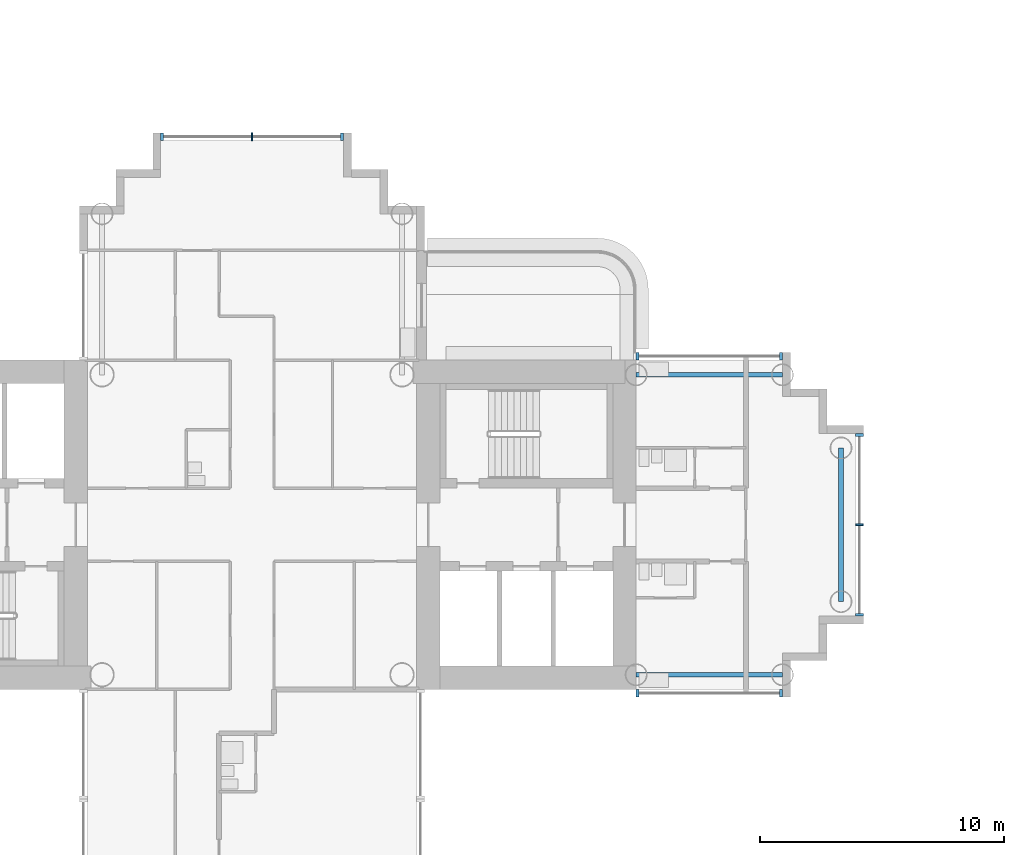
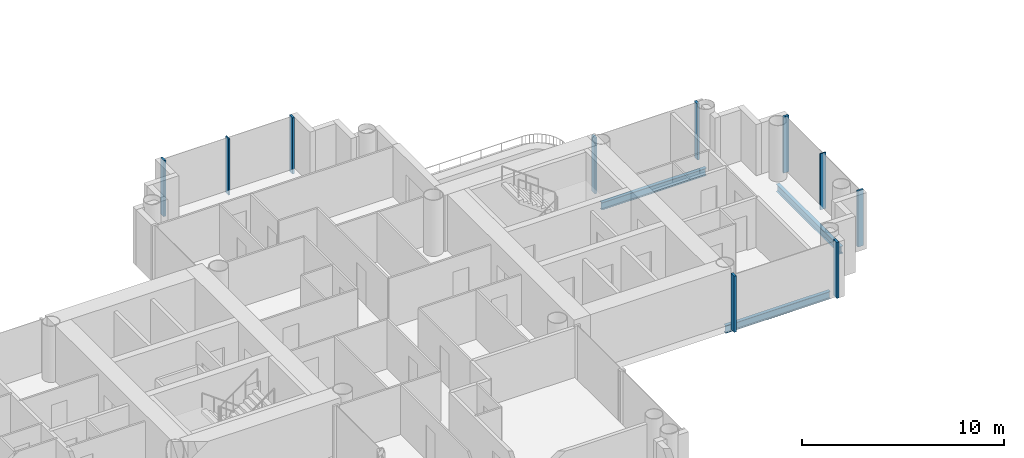
# One storey, part 4 of 22: 10 members, 3 beams, 4 elements without a shape of their own.
"""IFC4 building model written with IfcOpenShell, lengths in metres."""

from ifc_helpers import new_model, si_unit, direction, frame, origin, origin_2d, place, context, subcontext, project, spatial, rectangle, i_section, extrude, material, layer, layer_set, material_profile, profile_set, type_object, element, aggregate, save


model = new_model("IFC4")

# Units and contexts
model_context = context("Model", 3, precision=1e-05, world=origin(), true_north=direction((0.0, 1.0)))
body_context = subcontext(model_context, "Body", "Model", "MODEL_VIEW")
ifc_project = project(units=[si_unit("LENGTHUNIT", "METRE"), si_unit("AREAUNIT", "SQUARE_METRE"), si_unit("VOLUMEUNIT", "CUBIC_METRE"), si_unit("PLANEANGLEUNIT", "RADIAN"), si_unit("MASSUNIT", "GRAM", prefix="KILO")], contexts=[model_context])

# Site, building, storey
site_placement = place(None, origin())
site = spatial("IfcSite", under=ifc_project, at=site_placement, CompositionType="ELEMENT")
building_placement = place(site_placement, origin())
building = spatial("IfcBuilding", under=site, at=building_placement, Name="Ipe Terrace Towers", CompositionType="ELEMENT")
storey_placement = place(building_placement, frame((0.0, 0.0, 110.60009765625)))
storey = spatial("IfcBuildingStorey", under=building, at=storey_placement, Name="L30", CompositionType="ELEMENT", Elevation=110.60009765625)

# Beams
ifc_material_1 = material(Name="Steel S355", Category="steel")
ifc_material_profile_1 = material_profile(ifc_material_1, i_section(OverallWidth=0.199951171875, OverallDepth=0.449951171875, WebThickness=0.009033203125, FlangeThickness=0.013916015625, at=origin_2d()), Name="H-450x200x9x14")
ifc_profile_set_1 = profile_set([ifc_material_profile_1], Name="Steel S355")
beam_type = type_object("IfcBeamType", Name="H08 EDGE BEAM H-450x200x9x14", PredefinedType="BEAM", material=ifc_profile_set_1)
for number, where, z_axis, x_axis, name in (
    (1, (-20.25, -6.14990234375, -0.625), (1.0, 0.0, 0.0), (0.0, 1.0, 0.0), "Edge beam T1-EB-A01-A03"),
    (2, (-20.25, 6.14990234375, -0.625), (1.0, 0.0, 0.0), (0.0, 1.0, 0.0), "Edge beam T1-EB-A02-A04"),
):
    element("IfcBeam", number, at=place(storey_placement, frame(where, z_axis=z_axis, x_axis=x_axis)), inside=storey, type_object=beam_type, Name=name, PredefinedType="BEAM", context=body_context, shape_type="SweptSolid", body=[
        extrude(i_section(OverallWidth=0.199951171875, OverallDepth=0.449951171875, WebThickness=0.009033203125, FlangeThickness=0.013916015625, at=origin_2d()), origin(), (0.0, 0.0, 1.0), 6.0),
    ])
beam_placement = place(storey_placement, frame((-11.85009765625, -3.14990234375, -0.625), z_axis=(0.0, 1.0, 0.0), x_axis=(-1.0, 0.0, 0.0)))
element("IfcBeam", 3, at=beam_placement, inside=storey, type_object=beam_type, Name="Edge beam T1-EB-A05-A06", PredefinedType="BEAM", context=body_context, shape_type="SweptSolid", body=[
    extrude(i_section(OverallWidth=0.199951171875, OverallDepth=0.449951171875, WebThickness=0.009033203125, FlangeThickness=0.013916015625, at=origin_2d()), origin(), (0.0, 0.0, 1.0), 6.2998046875),
])

# Curtain wall, members
ifc_material_2 = material(Name="Aluminium alloy 6063-T6", Category="aluminium")
ifc_layer = layer(ifc_material_2, 0.320068359375)
ifc_layer_set = layer_set([ifc_layer], Name="TOWER UNITISED CURTAIN WALL")
curtain_wall_type = type_object("IfcCurtainWallType", Name="TOWER UNITISED CURTAIN WALL", PredefinedType="NOTDEFINED", material=ifc_layer_set)
curtain_wall_1_placement = place(storey_placement, origin())
curtain_wall_1 = element("IfcCurtainWall", 4, at=curtain_wall_1_placement, inside=storey, type_object=curtain_wall_type, Name="T1-CW-L30-20b curtain wall", PredefinedType="NOTDEFINED")
ifc_material_3 = material(Name="Aluminium alloy 6063-T6", Category="aluminium")
ifc_material_profile_2 = material_profile(ifc_material_3, rectangle(XDim=0.320068359375, YDim=0.1201171875, at=origin_2d()), Name="TOWER UNITISED CORNER MULLION 320 x 120")
ifc_profile_set_2 = profile_set([ifc_material_profile_2], Name="Aluminium alloy 6063-T6")
member_type_1 = type_object("IfcMemberType", Name="TOWER UNITISED CORNER MULLION 320 x 120", PredefinedType="MULLION", material=ifc_profile_set_2)
member_1_placement = place(storey_placement, frame((-20.18896484375, -6.909912109375, -0.300048828125), z_axis=(0.0, 0.0, 1.0), x_axis=(0.0, -1.0, 0.0)))
member_1 = element("IfcMember", 5, at=member_1_placement, type_object=member_type_1, Name="T1-CW-L30-20b mullion 1", PredefinedType="MULLION", context=body_context, shape_type="SweptSolid", body=[
    extrude(rectangle(XDim=0.320068359375, YDim=0.1201171875, at=origin_2d()), origin(), (0.0, 0.0, 1.0), 3.39990234375),
])
member_2_placement = place(storey_placement, frame((-14.31005859375, -6.909912109375, -0.300048828125), z_axis=(0.0, 0.0, 1.0), x_axis=(0.0, -1.0, 0.0)))
member_2 = element("IfcMember", 6, at=member_2_placement, type_object=member_type_1, Name="T1-CW-L30-20b mullion 2", PredefinedType="MULLION", context=body_context, shape_type="SweptSolid", body=[
    extrude(rectangle(XDim=0.320068359375, YDim=0.1201171875, at=origin_2d()), origin(), (0.0, 0.0, 1.0), 3.39990234375),
])
aggregate(curtain_wall_1, [member_1, member_2])

curtain_wall_2_placement = place(storey_placement, origin())
curtain_wall_2 = element("IfcCurtainWall", 7, at=curtain_wall_2_placement, inside=storey, type_object=curtain_wall_type, Name="T1-CW-L30-25a curtain wall", PredefinedType="NOTDEFINED")
member_3_placement = place(storey_placement, frame((-11.090087890625, -3.68994140625, -0.300048828125), z_axis=(0.0, 0.0, 1.0), x_axis=(1.0, 0.0, 0.0)))
member_3 = element("IfcMember", 8, at=member_3_placement, type_object=member_type_1, Name="T1-CW-L30-25a mullion 1", PredefinedType="MULLION", context=body_context, shape_type="SweptSolid", body=[
    extrude(rectangle(XDim=0.320068359375, YDim=0.1201171875, at=origin_2d()), origin(), (0.0, 0.0, 1.0), 3.39990234375),
])
member_4_placement = place(storey_placement, frame((-11.090087890625, 3.68994140625, -0.300048828125), z_axis=(0.0, 0.0, 1.0), x_axis=(1.0, 0.0, 0.0)))
member_4 = element("IfcMember", 9, at=member_4_placement, type_object=member_type_1, Name="T1-CW-L30-25a mullion 3", PredefinedType="MULLION", context=body_context, shape_type="SweptSolid", body=[
    extrude(rectangle(XDim=0.320068359375, YDim=0.1201171875, at=origin_2d()), origin(), (0.0, 0.0, 1.0), 3.39990234375),
])

curtain_wall_3_placement = place(storey_placement, origin())
curtain_wall_3 = element("IfcCurtainWall", 10, at=curtain_wall_3_placement, inside=storey, type_object=curtain_wall_type, Name="T1-CW-L30-30a curtain wall", PredefinedType="NOTDEFINED")
member_5_placement = place(storey_placement, frame((-14.31005859375, 6.909912109375, -0.300048828125), z_axis=(0.0, 0.0, 1.0), x_axis=(0.0, 1.0, 0.0)))
member_5 = element("IfcMember", 11, at=member_5_placement, type_object=member_type_1, Name="T1-CW-L30-30a mullion 1", PredefinedType="MULLION", context=body_context, shape_type="SweptSolid", body=[
    extrude(rectangle(XDim=0.320068359375, YDim=0.1201171875, at=origin_2d()), origin(), (0.0, 0.0, 1.0), 3.39990234375),
])
member_6_placement = place(storey_placement, frame((-20.18896484375, 6.909912109375, -0.300048828125), z_axis=(0.0, 0.0, 1.0), x_axis=(0.0, 1.0, 0.0)))
member_6 = element("IfcMember", 12, at=member_6_placement, type_object=member_type_1, Name="T1-CW-L30-30a mullion 2", PredefinedType="MULLION", context=body_context, shape_type="SweptSolid", body=[
    extrude(rectangle(XDim=0.320068359375, YDim=0.1201171875, at=origin_2d()), origin(), (0.0, 0.0, 1.0), 3.39990234375),
])
aggregate(curtain_wall_3, [member_5, member_6])

curtain_wall_4_placement = place(storey_placement, origin())
curtain_wall_4 = element("IfcCurtainWall", 13, at=curtain_wall_4_placement, inside=storey, type_object=curtain_wall_type, Name="T1-CW-L30-38a curtain wall", PredefinedType="NOTDEFINED")
member_7_placement = place(storey_placement, frame((-32.31005859375, 15.909912109375, -0.300048828125), z_axis=(0.0, 0.0, 1.0), x_axis=(0.0, 1.0, 0.0)))
member_7 = element("IfcMember", 14, at=member_7_placement, type_object=member_type_1, Name="T1-CW-L30-38a mullion 1", PredefinedType="MULLION", context=body_context, shape_type="SweptSolid", body=[
    extrude(rectangle(XDim=0.320068359375, YDim=0.1201171875, at=origin_2d()), origin(), (0.0, 0.0, 1.0), 3.39990234375),
])
member_8_placement = place(storey_placement, frame((-39.68994140625, 15.909912109375, -0.300048828125), z_axis=(0.0, 0.0, 1.0), x_axis=(0.0, 1.0, 0.0)))
member_8 = element("IfcMember", 15, at=member_8_placement, type_object=member_type_1, Name="T1-CW-L30-38a mullion 3", PredefinedType="MULLION", context=body_context, shape_type="SweptSolid", body=[
    extrude(rectangle(XDim=0.320068359375, YDim=0.1201171875, at=origin_2d()), origin(), (0.0, 0.0, 1.0), 3.39990234375),
])

# Member
ifc_material_4 = material(Name="Aluminium alloy 6063-T6", Category="aluminium")
ifc_material_profile_3 = material_profile(ifc_material_4, rectangle(XDim=0.320068359375, YDim=0.06494140625, at=origin_2d()), Name="TOWER UNITISED MULLION 320 x 65")
ifc_profile_set_3 = profile_set([ifc_material_profile_3], Name="Aluminium alloy 6063-T6")
member_type_2 = type_object("IfcMemberType", Name="TOWER UNITISED MULLION 320 x 65", PredefinedType="MULLION", material=ifc_profile_set_3)
member_9_placement = place(storey_placement, frame((-11.090087890625, 0.0, -0.300048828125), z_axis=(0.0, 0.0, 1.0), x_axis=(1.0, 0.0, 0.0)))
member_9 = element("IfcMember", 16, at=member_9_placement, type_object=member_type_2, Name="T1-CW-L30-25a mullion 2", PredefinedType="MULLION", context=body_context, shape_type="SweptSolid", body=[
    extrude(rectangle(XDim=0.320068359375, YDim=0.06494140625, at=origin_2d()), origin(), (0.0, 0.0, 1.0), 3.39990234375),
])

aggregate(curtain_wall_2, [member_3, member_9, member_4])

member_10_placement = place(storey_placement, frame((-36.0, 15.909912109375, -0.300048828125), z_axis=(0.0, 0.0, 1.0), x_axis=(0.0, 1.0, 0.0)))
member_10 = element("IfcMember", 17, at=member_10_placement, type_object=member_type_2, Name="T1-CW-L30-38a mullion 2", PredefinedType="MULLION", context=body_context, shape_type="SweptSolid", body=[
    extrude(rectangle(XDim=0.320068359375, YDim=0.06494140625, at=origin_2d()), origin(), (0.0, 0.0, 1.0), 3.39990234375),
])

aggregate(curtain_wall_4, [member_7, member_10, member_8])

save(model, "model.ifc")
